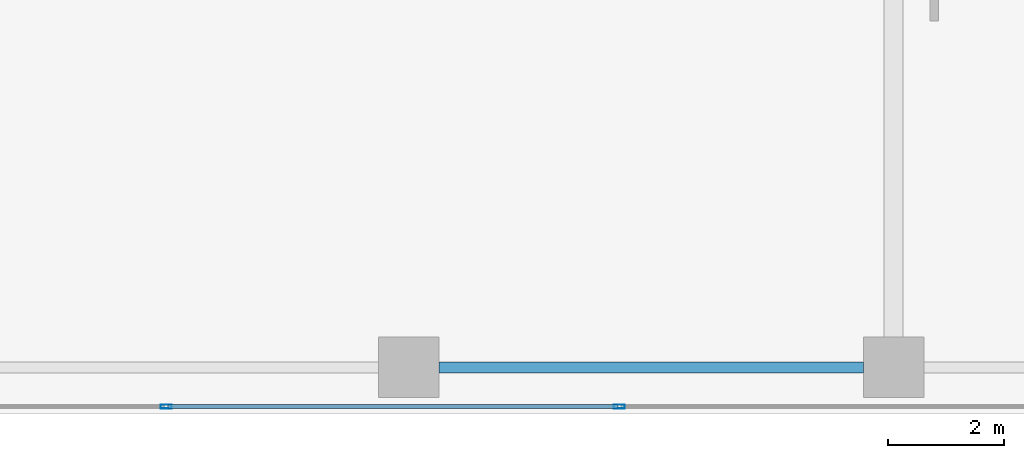
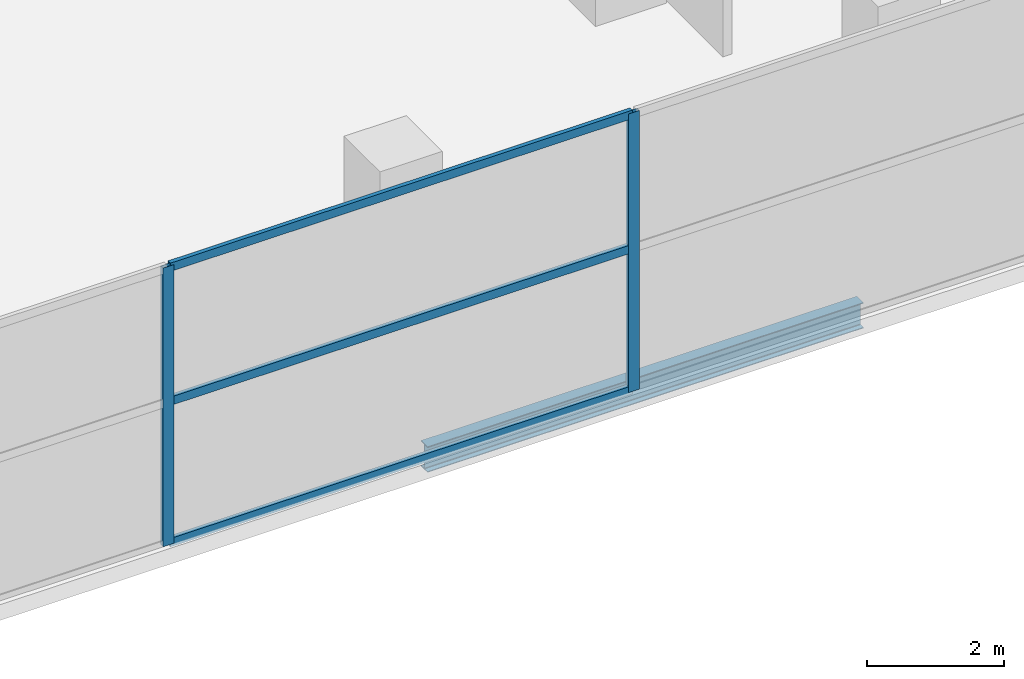
# One storey, part 13 of 40: 5 members, 1 beam, 1 element without a shape of its own.
"""IFC4 building model written with IfcOpenShell, lengths in metres."""

from ifc_helpers import new_model, si_unit, direction, frame, origin, origin_2d, place, context, subcontext, project, spatial, hollow_rectangle, i_section, extrude, material, layer, layer_set, material_profile, profile_set, type_object, element, aggregate, save


model = new_model("IFC4")

# Units and contexts
model_context = context("Model", 3, precision=1e-05, world=origin(), true_north=direction((0.0, 1.0)))
body_context = subcontext(model_context, "Body", "Model", "MODEL_VIEW")
ifc_project = project(units=[si_unit("LENGTHUNIT", "METRE"), si_unit("AREAUNIT", "SQUARE_METRE"), si_unit("VOLUMEUNIT", "CUBIC_METRE"), si_unit("PLANEANGLEUNIT", "RADIAN"), si_unit("MASSUNIT", "GRAM", prefix="KILO")], contexts=[model_context])

# Site, building, storey
site_placement = place(None, origin())
site = spatial("IfcSite", under=ifc_project, at=site_placement, CompositionType="ELEMENT")
building_placement = place(site_placement, origin())
building = spatial("IfcBuilding", under=site, at=building_placement, Name="Maruvema Waterfront Hotel and Observation Tower", CompositionType="ELEMENT")
storey_placement = place(building_placement, frame((0.0, 0.0, 5.60009765625)))
storey = spatial("IfcBuildingStorey", under=building, at=storey_placement, Name="L01", CompositionType="ELEMENT", Elevation=5.60009765625)

# Curtain wall, members
ifc_material_1 = material(Name="Anodised bronze aluminium and solar-control low-E IGU", Category="aluminium")
ifc_layer = layer(ifc_material_1, 0.159912109375, Name="Podium Waterfront Storefront Curtain Wall System CW-01")
ifc_layer_set = layer_set([ifc_layer], Name="Anodised bronze aluminium and solar-control low-E IGU")
curtain_wall_type = type_object("IfcCurtainWallType", Name="Podium Waterfront Storefront Curtain Wall System CW-01", PredefinedType="USERDEFINED", material=ifc_layer_set)
curtain_wall_placement = place(storey_placement, origin())
curtain_wall = element("IfcCurtainWall", 1, at=curtain_wall_placement, inside=storey, type_object=curtain_wall_type, Name="L01 Curtain Wall CW-L01-S", ObjectType="UNITISED CURTAIN WALL", PredefinedType="USERDEFINED")
ifc_material_2 = material(Name="Anodised architectural bronze aluminium", Category="aluminium")
ifc_material_profile_1 = material_profile(ifc_material_2, hollow_rectangle(XDim=0.070068359375, YDim=0.14990234375, WallThickness=0.00390625, at=origin_2d()), Name="ALU-T70x150")
ifc_profile_set_1 = profile_set([ifc_material_profile_1], Name="Anodised architectural bronze aluminium")
member_type_1 = type_object("IfcMemberType", Name="Curtain Wall Horizontal Transom ALU-T70x150", PredefinedType="USERDEFINED", material=ifc_profile_set_1)
member_1_placement = place(storey_placement, frame((37.830078125, 0.1201171875, 0.02978515625), z_axis=(1.0, 0.0, 0.0), x_axis=(0.0, 1.0, 0.0)))
member_1 = element("IfcMember", 2, at=member_1_placement, type_object=member_type_1, Name="CW-01 transom 5.1", ObjectType="TRANSOM", PredefinedType="USERDEFINED", context=body_context, shape_type="SweptSolid", body=[
    extrude(hollow_rectangle(XDim=0.070068359375, YDim=0.14990234375, WallThickness=0.00390625, at=origin_2d()), origin(), (0.0, 0.0, 1.0), 7.7900390625),
])
member_2_placement = place(storey_placement, frame((37.830078125, 0.1201171875, 2.5498046875), z_axis=(1.0, 0.0, 0.0), x_axis=(0.0, 1.0, 0.0)))
member_2 = element("IfcMember", 3, at=member_2_placement, type_object=member_type_1, Name="CW-01 transom 5.2", ObjectType="TRANSOM", PredefinedType="USERDEFINED", context=body_context, shape_type="SweptSolid", body=[
    extrude(hollow_rectangle(XDim=0.070068359375, YDim=0.14990234375, WallThickness=0.00390625, at=origin_2d()), origin(), (0.0, 0.0, 1.0), 7.7900390625),
])
member_3_placement = place(storey_placement, frame((37.830078125, 0.1201171875, 4.93994140625), z_axis=(1.0, 0.0, 0.0), x_axis=(0.0, 1.0, 0.0)))
member_3 = element("IfcMember", 4, at=member_3_placement, type_object=member_type_1, Name="CW-01 transom 5.3", ObjectType="TRANSOM", PredefinedType="USERDEFINED", context=body_context, shape_type="SweptSolid", body=[
    extrude(hollow_rectangle(XDim=0.070068359375, YDim=0.14990234375, WallThickness=0.00390625, at=origin_2d()), origin(), (0.0, 0.0, 1.0), 7.7900390625),
])

# Beam
ifc_material_3 = material(Name="Steel ASTM A572 Grade 50", Category="steel")
ifc_material_profile_2 = material_profile(ifc_material_3, i_section(OverallWidth=0.18994140625, OverallDepth=0.45703125, WebThickness=0.009033203125, FlangeThickness=0.014404296875, FilletRadius=0.014892578125, at=origin_2d()), Name="W460x74.0")
ifc_profile_set_2 = profile_set([ifc_material_profile_2], Name="Steel ASTM A572 Grade 50")
beam_type = type_object("IfcBeamType", Name="Perimeter Spandrel Beam W460x74.0", PredefinedType="SPANDREL", material=ifc_profile_set_2)
beam_placement = place(storey_placement, frame((42.52490234375, 0.800048828125, -0.508544921875), z_axis=(1.0, 0.0, 0.0), x_axis=(0.0, 1.0, 0.0)))
element("IfcBeam", 5, at=beam_placement, inside=storey, type_object=beam_type, Name="L01 Floor Girder EW-06", PredefinedType="SPANDREL", context=body_context, shape_type="SweptSolid", body=[
    extrude(i_section(OverallWidth=0.18994140625, OverallDepth=0.45703125, WebThickness=0.009033203125, FlangeThickness=0.014404296875, FilletRadius=0.014892578125, at=origin_2d()), origin(), (0.0, 0.0, 1.0), 7.35009765625),
])

# Member
ifc_material_4 = material(Name="Anodised architectural bronze aluminium", Category="aluminium")
ifc_material_profile_3 = material_profile(ifc_material_4, hollow_rectangle(XDim=0.070068359375, YDim=0.18994140625, WallThickness=0.00390625, at=origin_2d()), Name="ALU-M70x190")
ifc_profile_set_3 = profile_set([ifc_material_profile_3], Name="Anodised architectural bronze aluminium")
member_type_2 = type_object("IfcMemberType", Name="Podium Storefront Heavy Mullion ALU-M70x190", PredefinedType="MULLION", material=ifc_profile_set_3)
member_4_placement = place(storey_placement, frame((37.800048828125, 0.1201171875, 0.0), z_axis=(0.0, 0.0, 1.0), x_axis=(0.0, 1.0, 0.0)))
member_4 = element("IfcMember", 6, at=member_4_placement, type_object=member_type_2, Name="CW-01 mullion 5", PredefinedType="MULLION", context=body_context, shape_type="SweptSolid", body=[
    extrude(hollow_rectangle(XDim=0.070068359375, YDim=0.18994140625, WallThickness=0.00390625, at=origin_2d()), origin(), (0.0, 0.0, 1.0), 4.969970703125),
])

member_5_placement = place(storey_placement, frame((45.64990234375, 0.1201171875, 0.0), z_axis=(0.0, 0.0, 1.0), x_axis=(0.0, 1.0, 0.0)))
member_5 = element("IfcMember", 7, at=member_5_placement, type_object=member_type_2, Name="CW-01 mullion 6", PredefinedType="MULLION", context=body_context, shape_type="SweptSolid", body=[
    extrude(hollow_rectangle(XDim=0.070068359375, YDim=0.18994140625, WallThickness=0.00390625, at=origin_2d()), origin(), (0.0, 0.0, 1.0), 4.969970703125),
])

aggregate(curtain_wall, [member_4, member_5, member_1, member_2, member_3])

save(model, "model.ifc")
